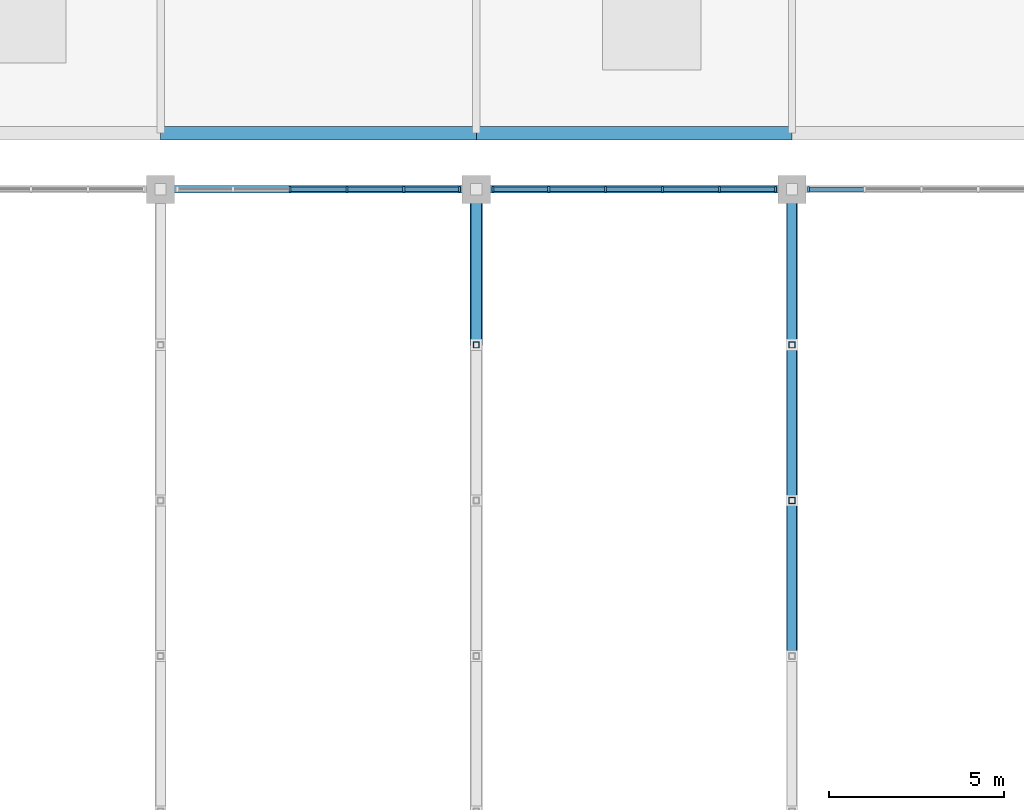
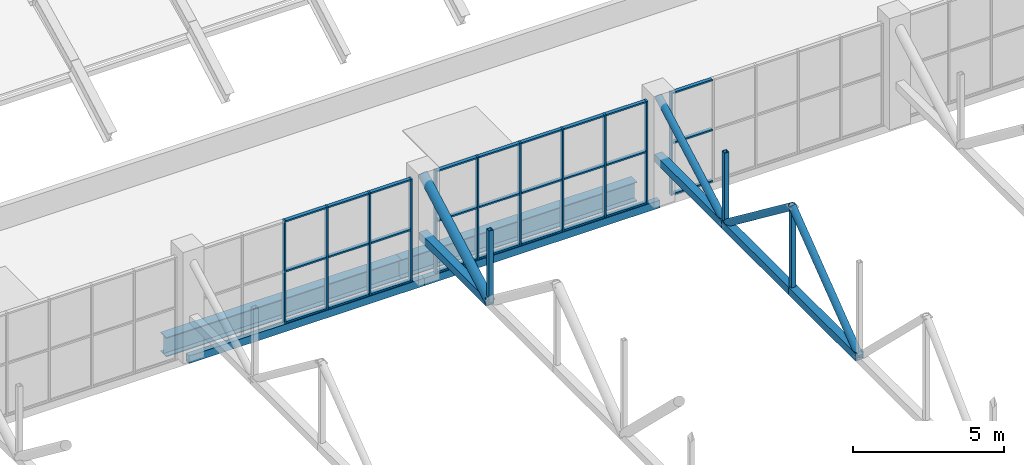
# One storey, part 25 of 103: 49 members, 4 beams, 3 elements without a shape of their own.
"""IFC4 building model written with IfcOpenShell, lengths in metres."""

from ifc_helpers import new_model, si_unit, direction, frame, origin, origin_2d, place, context, subcontext, project, spatial, rectangle, hollow_rectangle, hollow_circle, i_section, extrude, material, layer, layer_set, material_profile, profile_set, type_object, element, aggregate, save


model = new_model("IFC4")

# Units and contexts
model_context = context("Model", 3, precision=1e-05, world=origin(), true_north=direction((0.0, 1.0)))
body_context = subcontext(model_context, "Body", "Model", "MODEL_VIEW")
ifc_project = project(units=[si_unit("LENGTHUNIT", "METRE"), si_unit("AREAUNIT", "SQUARE_METRE"), si_unit("VOLUMEUNIT", "CUBIC_METRE"), si_unit("PLANEANGLEUNIT", "RADIAN"), si_unit("MASSUNIT", "GRAM", prefix="KILO")], contexts=[model_context])

# Site, building, storey
site_placement = place(None, origin())
site = spatial("IfcSite", under=ifc_project, at=site_placement, CompositionType="ELEMENT")
building_placement = place(site_placement, origin())
building = spatial("IfcBuilding", under=site, at=building_placement, Name="Cazmaro Siding Exhibition Halls", CompositionType="ELEMENT")
storey_placement = place(building_placement, frame((0.0, 0.0, 16.5)))
storey = spatial("IfcBuildingStorey", under=building, at=storey_placement, Name="L03", CompositionType="ELEMENT", Elevation=16.5)

# Curtain wall, members
ifc_material_1 = material(Name="Anodized Bronze Aluminum and Solar-Control Low-E Glazing", Category="aluminium")
ifc_layer = layer(ifc_material_1, 0.159912109375)
ifc_layer_set = layer_set([ifc_layer], Name="Anodized Bronze Aluminum and Solar-Control Low-E Glazing")
curtain_wall_type = type_object("IfcCurtainWallType", Name="CWS-04", PredefinedType="USERDEFINED", material=ifc_layer_set)
curtain_wall_1_placement = place(storey_placement, origin())
curtain_wall_1 = element("IfcCurtainWall", 1, at=curtain_wall_1_placement, inside=storey, type_object=curtain_wall_type, Name="Clerestory Curtain Wall CWS-04 CW-089", ObjectType="CLERESTORY CURTAIN WALL", PredefinedType="USERDEFINED")
ifc_material_2 = material(Name="Anodized Bronze Extruded Aluminum", Category="aluminium")
ifc_material_profile_1 = material_profile(ifc_material_2, rectangle(XDim=0.159912109375, YDim=0.06005859375, at=origin_2d()), Name="CWM-04")
ifc_profile_set_1 = profile_set([ifc_material_profile_1], Name="Anodized Bronze Extruded Aluminum")
member_type_1 = type_object("IfcMemberType", Name="CWM-04", PredefinedType="MULLION", material=ifc_profile_set_1)
member_1_placement = place(storey_placement, frame((116.52490234375, 53.60009765625, 0.0), z_axis=(0.0, 0.0, 1.0), x_axis=(0.0, -1.0, 0.0)))
member_1 = element("IfcMember", 2, at=member_1_placement, type_object=member_type_1, Name="CWS-04 mullion 1", PredefinedType="MULLION", context=body_context, shape_type="SweptSolid", body=[
    extrude(rectangle(XDim=0.159912109375, YDim=0.06005859375, at=origin_2d()), origin(), (0.0, 0.0, 1.0), 4.14990234375),
])
member_2_placement = place(storey_placement, frame((114.93310546875, 53.60009765625, 0.0), z_axis=(0.0, 0.0, 1.0), x_axis=(0.0, -1.0, 0.0)))
member_2 = element("IfcMember", 3, at=member_2_placement, type_object=member_type_1, Name="CWS-04 mullion 2", PredefinedType="MULLION", context=body_context, shape_type="SweptSolid", body=[
    extrude(rectangle(XDim=0.159912109375, YDim=0.06005859375, at=origin_2d()), origin(), (0.0, 0.0, 1.0), 4.14990234375),
])
member_3_placement = place(storey_placement, frame((113.31103515625, 53.60009765625, 0.0), z_axis=(0.0, 0.0, 1.0), x_axis=(0.0, -1.0, 0.0)))
member_3 = element("IfcMember", 4, at=member_3_placement, type_object=member_type_1, Name="CWS-04 mullion 3", PredefinedType="MULLION", context=body_context, shape_type="SweptSolid", body=[
    extrude(rectangle(XDim=0.159912109375, YDim=0.06005859375, at=origin_2d()), origin(), (0.0, 0.0, 1.0), 4.14990234375),
])
member_4_placement = place(storey_placement, frame((111.68896484375, 53.60009765625, 0.0), z_axis=(0.0, 0.0, 1.0), x_axis=(0.0, -1.0, 0.0)))
member_4 = element("IfcMember", 5, at=member_4_placement, type_object=member_type_1, Name="CWS-04 mullion 4", PredefinedType="MULLION", context=body_context, shape_type="SweptSolid", body=[
    extrude(rectangle(XDim=0.159912109375, YDim=0.06005859375, at=origin_2d()), origin(), (0.0, 0.0, 1.0), 4.14990234375),
])

curtain_wall_2_placement = place(storey_placement, origin())
curtain_wall_2 = element("IfcCurtainWall", 6, at=curtain_wall_2_placement, inside=storey, type_object=curtain_wall_type, Name="Clerestory Curtain Wall CWS-04 CW-091", ObjectType="CLERESTORY CURTAIN WALL", PredefinedType="USERDEFINED")
member_5_placement = place(storey_placement, frame((125.52490234375, 53.60009765625, 0.0), z_axis=(0.0, 0.0, 1.0), x_axis=(0.0, -1.0, 0.0)))
member_5 = element("IfcMember", 7, at=member_5_placement, type_object=member_type_1, Name="CWS-04 mullion 1", PredefinedType="MULLION", context=body_context, shape_type="SweptSolid", body=[
    extrude(rectangle(XDim=0.159912109375, YDim=0.06005859375, at=origin_2d()), origin(), (0.0, 0.0, 1.0), 4.14990234375),
])
member_6_placement = place(storey_placement, frame((123.93310546875, 53.60009765625, 0.0), z_axis=(0.0, 0.0, 1.0), x_axis=(0.0, -1.0, 0.0)))
member_6 = element("IfcMember", 8, at=member_6_placement, type_object=member_type_1, Name="CWS-04 mullion 2", PredefinedType="MULLION", context=body_context, shape_type="SweptSolid", body=[
    extrude(rectangle(XDim=0.159912109375, YDim=0.06005859375, at=origin_2d()), origin(), (0.0, 0.0, 1.0), 4.14990234375),
])
member_7_placement = place(storey_placement, frame((122.31103515625, 53.60009765625, 0.0), z_axis=(0.0, 0.0, 1.0), x_axis=(0.0, -1.0, 0.0)))
member_7 = element("IfcMember", 9, at=member_7_placement, type_object=member_type_1, Name="CWS-04 mullion 3", PredefinedType="MULLION", context=body_context, shape_type="SweptSolid", body=[
    extrude(rectangle(XDim=0.159912109375, YDim=0.06005859375, at=origin_2d()), origin(), (0.0, 0.0, 1.0), 4.14990234375),
])
member_8_placement = place(storey_placement, frame((120.68896484375, 53.60009765625, 0.0), z_axis=(0.0, 0.0, 1.0), x_axis=(0.0, -1.0, 0.0)))
member_8 = element("IfcMember", 10, at=member_8_placement, type_object=member_type_1, Name="CWS-04 mullion 4", PredefinedType="MULLION", context=body_context, shape_type="SweptSolid", body=[
    extrude(rectangle(XDim=0.159912109375, YDim=0.06005859375, at=origin_2d()), origin(), (0.0, 0.0, 1.0), 4.14990234375),
])
member_9_placement = place(storey_placement, frame((119.06689453125, 53.60009765625, 0.0), z_axis=(0.0, 0.0, 1.0), x_axis=(0.0, -1.0, 0.0)))
member_9 = element("IfcMember", 11, at=member_9_placement, type_object=member_type_1, Name="CWS-04 mullion 5", PredefinedType="MULLION", context=body_context, shape_type="SweptSolid", body=[
    extrude(rectangle(XDim=0.159912109375, YDim=0.06005859375, at=origin_2d()), origin(), (0.0, 0.0, 1.0), 4.14990234375),
])
member_10_placement = place(storey_placement, frame((117.47509765625, 53.60009765625, 0.0), z_axis=(0.0, 0.0, 1.0), x_axis=(0.0, -1.0, 0.0)))
member_10 = element("IfcMember", 12, at=member_10_placement, type_object=member_type_1, Name="CWS-04 mullion 6", PredefinedType="MULLION", context=body_context, shape_type="SweptSolid", body=[
    extrude(rectangle(XDim=0.159912109375, YDim=0.06005859375, at=origin_2d()), origin(), (0.0, 0.0, 1.0), 4.14990234375),
])

# Curtain wall, member
curtain_wall_3_placement = place(storey_placement, origin())
curtain_wall_3 = element("IfcCurtainWall", 13, at=curtain_wall_3_placement, inside=storey, type_object=curtain_wall_type, Name="Clerestory Curtain Wall CWS-04 CW-093", ObjectType="CLERESTORY CURTAIN WALL", PredefinedType="USERDEFINED")
member_11_placement = place(storey_placement, frame((126.47509765625, 53.60009765625, 0.0), z_axis=(0.0, 0.0, 1.0), x_axis=(0.0, -1.0, 0.0)))
member_11 = element("IfcMember", 14, at=member_11_placement, type_object=member_type_1, Name="CWS-04 mullion 6", PredefinedType="MULLION", context=body_context, shape_type="SweptSolid", body=[
    extrude(rectangle(XDim=0.159912109375, YDim=0.06005859375, at=origin_2d()), origin(), (0.0, 0.0, 1.0), 4.14990234375),
])

# Member
ifc_material_3 = material(Name="Anodized Bronze Extruded Aluminum", Category="aluminium")
ifc_material_profile_2 = material_profile(ifc_material_3, rectangle(XDim=0.139892578125, YDim=0.06005859375, at=origin_2d()), Name="CWT-04")
ifc_profile_set_2 = profile_set([ifc_material_profile_2], Name="Anodized Bronze Extruded Aluminum")
member_type_2 = type_object("IfcMemberType", Name="CWT-04", PredefinedType="MULLION", material=ifc_profile_set_2)
member_12_placement = place(storey_placement, frame((116.4951171875, 53.60009765625, 0.030029296875), z_axis=(-1.0, 0.0, 0.0), x_axis=(0.0, -1.0, 0.0)))
member_12 = element("IfcMember", 15, at=member_12_placement, type_object=member_type_2, Name="CWS-04 transom 1.1", ObjectType="TRANSOM", PredefinedType="USERDEFINED", context=body_context, shape_type="SweptSolid", body=[
    extrude(rectangle(XDim=0.139892578125, YDim=0.06005859375, at=origin_2d()), origin(), (0.0, 0.0, 1.0), 1.5322265625),
])

member_13_placement = place(storey_placement, frame((116.4951171875, 53.60009765625, 2.10009765625), z_axis=(-1.0, 0.0, 0.0), x_axis=(0.0, -1.0, 0.0)))
member_13 = element("IfcMember", 16, at=member_13_placement, type_object=member_type_2, Name="CWS-04 transom 1.2", ObjectType="TRANSOM", PredefinedType="USERDEFINED", context=body_context, shape_type="SweptSolid", body=[
    extrude(rectangle(XDim=0.139892578125, YDim=0.06005859375, at=origin_2d()), origin(), (0.0, 0.0, 1.0), 1.5322265625),
])

member_14_placement = place(storey_placement, frame((116.4951171875, 53.60009765625, 4.1201171875), z_axis=(-1.0, 0.0, 0.0), x_axis=(0.0, -1.0, 0.0)))
member_14 = element("IfcMember", 17, at=member_14_placement, type_object=member_type_2, Name="CWS-04 transom 1.3", ObjectType="TRANSOM", PredefinedType="USERDEFINED", context=body_context, shape_type="SweptSolid", body=[
    extrude(rectangle(XDim=0.139892578125, YDim=0.06005859375, at=origin_2d()), origin(), (0.0, 0.0, 1.0), 1.5322265625),
])

member_15_placement = place(storey_placement, frame((114.903076171875, 53.60009765625, 0.030029296875), z_axis=(-1.0, 0.0, 0.0), x_axis=(0.0, -1.0, 0.0)))
member_15 = element("IfcMember", 18, at=member_15_placement, type_object=member_type_2, Name="CWS-04 transom 2.1", ObjectType="TRANSOM", PredefinedType="USERDEFINED", context=body_context, shape_type="SweptSolid", body=[
    extrude(rectangle(XDim=0.139892578125, YDim=0.06005859375, at=origin_2d()), origin(), (0.0, 0.0, 1.0), 1.56201171875),
])

member_16_placement = place(storey_placement, frame((114.903076171875, 53.60009765625, 2.10009765625), z_axis=(-1.0, 0.0, 0.0), x_axis=(0.0, -1.0, 0.0)))
member_16 = element("IfcMember", 19, at=member_16_placement, type_object=member_type_2, Name="CWS-04 transom 2.2", ObjectType="TRANSOM", PredefinedType="USERDEFINED", context=body_context, shape_type="SweptSolid", body=[
    extrude(rectangle(XDim=0.139892578125, YDim=0.06005859375, at=origin_2d()), origin(), (0.0, 0.0, 1.0), 1.56201171875),
])

member_17_placement = place(storey_placement, frame((114.903076171875, 53.60009765625, 4.1201171875), z_axis=(-1.0, 0.0, 0.0), x_axis=(0.0, -1.0, 0.0)))
member_17 = element("IfcMember", 20, at=member_17_placement, type_object=member_type_2, Name="CWS-04 transom 2.3", ObjectType="TRANSOM", PredefinedType="USERDEFINED", context=body_context, shape_type="SweptSolid", body=[
    extrude(rectangle(XDim=0.139892578125, YDim=0.06005859375, at=origin_2d()), origin(), (0.0, 0.0, 1.0), 1.56201171875),
])

member_18_placement = place(storey_placement, frame((113.281005859375, 53.60009765625, 0.030029296875), z_axis=(-1.0, 0.0, 0.0), x_axis=(0.0, -1.0, 0.0)))
member_18 = element("IfcMember", 21, at=member_18_placement, type_object=member_type_2, Name="CWS-04 transom 3.1", ObjectType="TRANSOM", PredefinedType="USERDEFINED", context=body_context, shape_type="SweptSolid", body=[
    extrude(rectangle(XDim=0.139892578125, YDim=0.06005859375, at=origin_2d()), origin(), (0.0, 0.0, 1.0), 1.56201171875),
])

member_19_placement = place(storey_placement, frame((113.281005859375, 53.60009765625, 2.10009765625), z_axis=(-1.0, 0.0, 0.0), x_axis=(0.0, -1.0, 0.0)))
member_19 = element("IfcMember", 22, at=member_19_placement, type_object=member_type_2, Name="CWS-04 transom 3.2", ObjectType="TRANSOM", PredefinedType="USERDEFINED", context=body_context, shape_type="SweptSolid", body=[
    extrude(rectangle(XDim=0.139892578125, YDim=0.06005859375, at=origin_2d()), origin(), (0.0, 0.0, 1.0), 1.56201171875),
])

member_20_placement = place(storey_placement, frame((113.281005859375, 53.60009765625, 4.1201171875), z_axis=(-1.0, 0.0, 0.0), x_axis=(0.0, -1.0, 0.0)))
member_20 = element("IfcMember", 23, at=member_20_placement, type_object=member_type_2, Name="CWS-04 transom 3.3", ObjectType="TRANSOM", PredefinedType="USERDEFINED", context=body_context, shape_type="SweptSolid", body=[
    extrude(rectangle(XDim=0.139892578125, YDim=0.06005859375, at=origin_2d()), origin(), (0.0, 0.0, 1.0), 1.56201171875),
])

aggregate(curtain_wall_1, [member_1, member_2, member_3, member_4, member_12, member_13, member_14, member_15, member_16, member_17, member_18, member_19, member_20])

member_21_placement = place(storey_placement, frame((125.4951171875, 53.60009765625, 0.030029296875), z_axis=(-1.0, 0.0, 0.0), x_axis=(0.0, -1.0, 0.0)))
member_21 = element("IfcMember", 24, at=member_21_placement, type_object=member_type_2, Name="CWS-04 transom 1.1", ObjectType="TRANSOM", PredefinedType="USERDEFINED", context=body_context, shape_type="SweptSolid", body=[
    extrude(rectangle(XDim=0.139892578125, YDim=0.06005859375, at=origin_2d()), origin(), (0.0, 0.0, 1.0), 1.5322265625),
])

member_22_placement = place(storey_placement, frame((125.4951171875, 53.60009765625, 2.10009765625), z_axis=(-1.0, 0.0, 0.0), x_axis=(0.0, -1.0, 0.0)))
member_22 = element("IfcMember", 25, at=member_22_placement, type_object=member_type_2, Name="CWS-04 transom 1.2", ObjectType="TRANSOM", PredefinedType="USERDEFINED", context=body_context, shape_type="SweptSolid", body=[
    extrude(rectangle(XDim=0.139892578125, YDim=0.06005859375, at=origin_2d()), origin(), (0.0, 0.0, 1.0), 1.5322265625),
])

member_23_placement = place(storey_placement, frame((125.4951171875, 53.60009765625, 4.1201171875), z_axis=(-1.0, 0.0, 0.0), x_axis=(0.0, -1.0, 0.0)))
member_23 = element("IfcMember", 26, at=member_23_placement, type_object=member_type_2, Name="CWS-04 transom 1.3", ObjectType="TRANSOM", PredefinedType="USERDEFINED", context=body_context, shape_type="SweptSolid", body=[
    extrude(rectangle(XDim=0.139892578125, YDim=0.06005859375, at=origin_2d()), origin(), (0.0, 0.0, 1.0), 1.5322265625),
])

member_24_placement = place(storey_placement, frame((123.903076171875, 53.60009765625, 0.030029296875), z_axis=(-1.0, 0.0, 0.0), x_axis=(0.0, -1.0, 0.0)))
member_24 = element("IfcMember", 27, at=member_24_placement, type_object=member_type_2, Name="CWS-04 transom 2.1", ObjectType="TRANSOM", PredefinedType="USERDEFINED", context=body_context, shape_type="SweptSolid", body=[
    extrude(rectangle(XDim=0.139892578125, YDim=0.06005859375, at=origin_2d()), origin(), (0.0, 0.0, 1.0), 1.56201171875),
])

member_25_placement = place(storey_placement, frame((123.903076171875, 53.60009765625, 2.10009765625), z_axis=(-1.0, 0.0, 0.0), x_axis=(0.0, -1.0, 0.0)))
member_25 = element("IfcMember", 28, at=member_25_placement, type_object=member_type_2, Name="CWS-04 transom 2.2", ObjectType="TRANSOM", PredefinedType="USERDEFINED", context=body_context, shape_type="SweptSolid", body=[
    extrude(rectangle(XDim=0.139892578125, YDim=0.06005859375, at=origin_2d()), origin(), (0.0, 0.0, 1.0), 1.56201171875),
])

member_26_placement = place(storey_placement, frame((123.903076171875, 53.60009765625, 4.1201171875), z_axis=(-1.0, 0.0, 0.0), x_axis=(0.0, -1.0, 0.0)))
member_26 = element("IfcMember", 29, at=member_26_placement, type_object=member_type_2, Name="CWS-04 transom 2.3", ObjectType="TRANSOM", PredefinedType="USERDEFINED", context=body_context, shape_type="SweptSolid", body=[
    extrude(rectangle(XDim=0.139892578125, YDim=0.06005859375, at=origin_2d()), origin(), (0.0, 0.0, 1.0), 1.56201171875),
])

member_27_placement = place(storey_placement, frame((122.281005859375, 53.60009765625, 0.030029296875), z_axis=(-1.0, 0.0, 0.0), x_axis=(0.0, -1.0, 0.0)))
member_27 = element("IfcMember", 30, at=member_27_placement, type_object=member_type_2, Name="CWS-04 transom 3.1", ObjectType="TRANSOM", PredefinedType="USERDEFINED", context=body_context, shape_type="SweptSolid", body=[
    extrude(rectangle(XDim=0.139892578125, YDim=0.06005859375, at=origin_2d()), origin(), (0.0, 0.0, 1.0), 1.56201171875),
])

member_28_placement = place(storey_placement, frame((122.281005859375, 53.60009765625, 2.10009765625), z_axis=(-1.0, 0.0, 0.0), x_axis=(0.0, -1.0, 0.0)))
member_28 = element("IfcMember", 31, at=member_28_placement, type_object=member_type_2, Name="CWS-04 transom 3.2", ObjectType="TRANSOM", PredefinedType="USERDEFINED", context=body_context, shape_type="SweptSolid", body=[
    extrude(rectangle(XDim=0.139892578125, YDim=0.06005859375, at=origin_2d()), origin(), (0.0, 0.0, 1.0), 1.56201171875),
])

member_29_placement = place(storey_placement, frame((122.281005859375, 53.60009765625, 4.1201171875), z_axis=(-1.0, 0.0, 0.0), x_axis=(0.0, -1.0, 0.0)))
member_29 = element("IfcMember", 32, at=member_29_placement, type_object=member_type_2, Name="CWS-04 transom 3.3", ObjectType="TRANSOM", PredefinedType="USERDEFINED", context=body_context, shape_type="SweptSolid", body=[
    extrude(rectangle(XDim=0.139892578125, YDim=0.06005859375, at=origin_2d()), origin(), (0.0, 0.0, 1.0), 1.56201171875),
])

member_30_placement = place(storey_placement, frame((120.658935546875, 53.60009765625, 0.030029296875), z_axis=(-1.0, 0.0, 0.0), x_axis=(0.0, -1.0, 0.0)))
member_30 = element("IfcMember", 33, at=member_30_placement, type_object=member_type_2, Name="CWS-04 transom 4.1", ObjectType="TRANSOM", PredefinedType="USERDEFINED", context=body_context, shape_type="SweptSolid", body=[
    extrude(rectangle(XDim=0.139892578125, YDim=0.06005859375, at=origin_2d()), origin(), (0.0, 0.0, 1.0), 1.56201171875),
])

member_31_placement = place(storey_placement, frame((120.658935546875, 53.60009765625, 2.10009765625), z_axis=(-1.0, 0.0, 0.0), x_axis=(0.0, -1.0, 0.0)))
member_31 = element("IfcMember", 34, at=member_31_placement, type_object=member_type_2, Name="CWS-04 transom 4.2", ObjectType="TRANSOM", PredefinedType="USERDEFINED", context=body_context, shape_type="SweptSolid", body=[
    extrude(rectangle(XDim=0.139892578125, YDim=0.06005859375, at=origin_2d()), origin(), (0.0, 0.0, 1.0), 1.56201171875),
])

member_32_placement = place(storey_placement, frame((120.658935546875, 53.60009765625, 4.1201171875), z_axis=(-1.0, 0.0, 0.0), x_axis=(0.0, -1.0, 0.0)))
member_32 = element("IfcMember", 35, at=member_32_placement, type_object=member_type_2, Name="CWS-04 transom 4.3", ObjectType="TRANSOM", PredefinedType="USERDEFINED", context=body_context, shape_type="SweptSolid", body=[
    extrude(rectangle(XDim=0.139892578125, YDim=0.06005859375, at=origin_2d()), origin(), (0.0, 0.0, 1.0), 1.56201171875),
])

member_33_placement = place(storey_placement, frame((119.037109375, 53.60009765625, 0.030029296875), z_axis=(-1.0, 0.0, 0.0), x_axis=(0.0, -1.0, 0.0)))
member_33 = element("IfcMember", 36, at=member_33_placement, type_object=member_type_2, Name="CWS-04 transom 5.1", ObjectType="TRANSOM", PredefinedType="USERDEFINED", context=body_context, shape_type="SweptSolid", body=[
    extrude(rectangle(XDim=0.139892578125, YDim=0.06005859375, at=origin_2d()), origin(), (0.0, 0.0, 1.0), 1.5322265625),
])

member_34_placement = place(storey_placement, frame((119.037109375, 53.60009765625, 2.10009765625), z_axis=(-1.0, 0.0, 0.0), x_axis=(0.0, -1.0, 0.0)))
member_34 = element("IfcMember", 37, at=member_34_placement, type_object=member_type_2, Name="CWS-04 transom 5.2", ObjectType="TRANSOM", PredefinedType="USERDEFINED", context=body_context, shape_type="SweptSolid", body=[
    extrude(rectangle(XDim=0.139892578125, YDim=0.06005859375, at=origin_2d()), origin(), (0.0, 0.0, 1.0), 1.5322265625),
])

member_35_placement = place(storey_placement, frame((119.037109375, 53.60009765625, 4.1201171875), z_axis=(-1.0, 0.0, 0.0), x_axis=(0.0, -1.0, 0.0)))
member_35 = element("IfcMember", 38, at=member_35_placement, type_object=member_type_2, Name="CWS-04 transom 5.3", ObjectType="TRANSOM", PredefinedType="USERDEFINED", context=body_context, shape_type="SweptSolid", body=[
    extrude(rectangle(XDim=0.139892578125, YDim=0.06005859375, at=origin_2d()), origin(), (0.0, 0.0, 1.0), 1.5322265625),
])

aggregate(curtain_wall_2, [member_5, member_6, member_7, member_8, member_9, member_10, member_21, member_22, member_23, member_24, member_25, member_26, member_27, member_28, member_29, member_30, member_31, member_32, member_33, member_34, member_35])

member_36_placement = place(storey_placement, frame((128.037109375, 53.60009765625, 0.030029296875), z_axis=(-1.0, 0.0, 0.0), x_axis=(0.0, -1.0, 0.0)))
member_36 = element("IfcMember", 39, at=member_36_placement, type_object=member_type_2, Name="CWS-04 transom 5.1", ObjectType="TRANSOM", PredefinedType="USERDEFINED", context=body_context, shape_type="SweptSolid", body=[
    extrude(rectangle(XDim=0.139892578125, YDim=0.06005859375, at=origin_2d()), origin(), (0.0, 0.0, 1.0), 1.5322265625),
])

member_37_placement = place(storey_placement, frame((128.037109375, 53.60009765625, 2.10009765625), z_axis=(-1.0, 0.0, 0.0), x_axis=(0.0, -1.0, 0.0)))
member_37 = element("IfcMember", 40, at=member_37_placement, type_object=member_type_2, Name="CWS-04 transom 5.2", ObjectType="TRANSOM", PredefinedType="USERDEFINED", context=body_context, shape_type="SweptSolid", body=[
    extrude(rectangle(XDim=0.139892578125, YDim=0.06005859375, at=origin_2d()), origin(), (0.0, 0.0, 1.0), 1.5322265625),
])

member_38_placement = place(storey_placement, frame((128.037109375, 53.60009765625, 4.1201171875), z_axis=(-1.0, 0.0, 0.0), x_axis=(0.0, -1.0, 0.0)))
member_38 = element("IfcMember", 41, at=member_38_placement, type_object=member_type_2, Name="CWS-04 transom 5.3", ObjectType="TRANSOM", PredefinedType="USERDEFINED", context=body_context, shape_type="SweptSolid", body=[
    extrude(rectangle(XDim=0.139892578125, YDim=0.06005859375, at=origin_2d()), origin(), (0.0, 0.0, 1.0), 1.5322265625),
])

aggregate(curtain_wall_3, [member_11, member_36, member_37, member_38])

# Beams
ifc_material_4 = material(Name="Steel ASTM A992 Grade 50", Category="steel")
ifc_material_profile_3 = material_profile(ifc_material_4, i_section(OverallWidth=0.381103515625, OverallDepth=0.779052734375, WebThickness=0.01806640625, FlangeThickness=0.030029296875, at=origin_2d()), Name="W30X191")
ifc_profile_set_3 = profile_set([ifc_material_profile_3], Name="Steel ASTM A992 Grade 50")
beam_type_1 = type_object("IfcBeamType", Name="G-04", PredefinedType="USERDEFINED", material=ifc_profile_set_3)
for number, where, z_axis, x_axis, name in (
    (42, (108.0, 55.199951171875, -0.56494140625), (1.0, 0.0, 0.0), (0.0, 1.0, 0.0), "Beam G-04 BM-1641"),
    (43, (117.0, 55.199951171875, -0.56494140625), (1.0, 0.0, 0.0), (0.0, 1.0, 0.0), "Beam G-04 BM-1650"),
):
    element("IfcBeam", number, at=place(storey_placement, frame(where, z_axis=z_axis, x_axis=x_axis)), inside=storey, type_object=beam_type_1, Name=name, ObjectType="GIRDER", PredefinedType="USERDEFINED", context=body_context, shape_type="SweptSolid", body=[
        extrude(i_section(OverallWidth=0.381103515625, OverallDepth=0.779052734375, WebThickness=0.01806640625, FlangeThickness=0.030029296875, at=origin_2d()), origin(), (0.0, 0.0, 1.0), 9.0),
    ])
ifc_material_5 = material(Name="Steel ASTM A500 Grade C", Category="steel")
ifc_material_profile_4 = material_profile(ifc_material_5, hollow_rectangle(XDim=0.202880859375, YDim=0.304931640625, WallThickness=0.011962890625, at=origin_2d()), Name="HSS12X8X1/2")
ifc_profile_set_4 = profile_set([ifc_material_profile_4], Name="Steel ASTM A500 Grade C")
beam_type_2 = type_object("IfcBeamType", Name="SP-01", PredefinedType="SPANDREL", material=ifc_profile_set_4)
for number, where, z_axis, x_axis, name in (
    (44, (108.0, 53.60009765625, -0.152099609375), (1.0, 0.0, 0.0), (0.0, 1.0, 0.0), "Beam SP-01 BM-1501"),
    (45, (117.0, 53.60009765625, -0.152099609375), (1.0, 0.0, 0.0), (0.0, 1.0, 0.0), "Beam SP-01 BM-1505"),
):
    element("IfcBeam", number, at=place(storey_placement, frame(where, z_axis=z_axis, x_axis=x_axis)), inside=storey, type_object=beam_type_2, Name=name, PredefinedType="SPANDREL", context=body_context, shape_type="SweptSolid", body=[
        extrude(hollow_rectangle(XDim=0.202880859375, YDim=0.304931640625, WallThickness=0.011962890625, at=origin_2d()), origin(), (0.0, 0.0, 1.0), 9.0),
    ])

# Members
ifc_material_6 = material(Name="Steel ASTM A500 Grade C", Category="steel")
ifc_material_profile_5 = material_profile(ifc_material_6, hollow_rectangle(XDim=0.304931640625, YDim=0.304931640625, WallThickness=0.014892578125, at=origin_2d()), Name="HSS12X12X5/8")
ifc_profile_set_5 = profile_set([ifc_material_profile_5], Name="Steel ASTM A500 Grade C")
member_type_3 = type_object("IfcMemberType", Name="TC-02", PredefinedType="CHORD", material=ifc_profile_set_5)
for number, where, z_axis, x_axis, name in (
    (46, (117.0, 49.1650390625, 1.699951171875), (0.0, 1.0, 0.0), (-1.0, 0.0, 0.0), "Warren roof truss bottom chord TC-02 MEM-2525"),
    (47, (126.0, 40.294921875, 1.699951171875), (0.0, 1.0, 0.0), (-1.0, 0.0, 0.0), "Warren roof truss bottom chord TC-02 MEM-2558"),
    (48, (126.0, 44.72998046875, 1.699951171875), (0.0, 1.0, 0.0), (-1.0, 0.0, 0.0), "Warren roof truss bottom chord TC-02 MEM-2561"),
    (49, (126.0, 49.1650390625, 1.699951171875), (0.0, 1.0, 0.0), (-1.0, 0.0, 0.0), "Warren roof truss bottom chord TC-02 MEM-2564"),
):
    element("IfcMember", number, at=place(storey_placement, frame(where, z_axis=z_axis, x_axis=x_axis)), inside=storey, type_object=member_type_3, Name=name, PredefinedType="CHORD", context=body_context, shape_type="SweptSolid", body=[
        extrude(hollow_rectangle(XDim=0.304931640625, YDim=0.304931640625, WallThickness=0.014892578125, at=origin_2d()), origin(), (0.0, 0.0, 1.0), 4.43505859375),
    ])
ifc_material_7 = material(Name="Steel ASTM A500 Grade C", Category="steel")
ifc_material_profile_6 = material_profile(ifc_material_7, hollow_rectangle(XDim=0.177978515625, YDim=0.177978515625, WallThickness=0.011962890625, at=origin_2d()), Name="HSS7X7X1/2")
ifc_profile_set_6 = profile_set([ifc_material_profile_6], Name="Steel ASTM A500 Grade C")
member_type_4 = type_object("IfcMemberType", Name="TP-02", PredefinedType="POST", material=ifc_profile_set_6)
member_39_placement = place(storey_placement, frame((117.0, 49.1650390625, 1.699951171875), z_axis=(0.0, 0.0, 1.0), x_axis=(1.0, 0.0, 0.0)))
element("IfcMember", 50, at=member_39_placement, inside=storey, type_object=member_type_4, Name="Warren roof truss vertical TP-02 MEM-2535", PredefinedType="POST", context=body_context, shape_type="SweptSolid", body=[
    extrude(hollow_rectangle(XDim=0.177978515625, YDim=0.177978515625, WallThickness=0.011962890625, at=origin_2d()), origin(), (0.0, 0.0, 1.0), 2.906005859375),
])
member_40_placement = place(storey_placement, frame((126.0, 44.72998046875, 1.699951171875), z_axis=(0.0, 0.0, 1.0), x_axis=(1.0, 0.0, 0.0)))
element("IfcMember", 51, at=member_40_placement, inside=storey, type_object=member_type_4, Name="Warren roof truss vertical TP-02 MEM-2573", PredefinedType="POST", context=body_context, shape_type="SweptSolid", body=[
    extrude(hollow_rectangle(XDim=0.177978515625, YDim=0.177978515625, WallThickness=0.011962890625, at=origin_2d()), origin(), (0.0, 0.0, 1.0), 3.373046875),
])
member_41_placement = place(storey_placement, frame((126.0, 49.1650390625, 1.699951171875), z_axis=(0.0, 0.0, 1.0), x_axis=(1.0, 0.0, 0.0)))
element("IfcMember", 52, at=member_41_placement, inside=storey, type_object=member_type_4, Name="Warren roof truss vertical TP-02 MEM-2574", PredefinedType="POST", context=body_context, shape_type="SweptSolid", body=[
    extrude(hollow_rectangle(XDim=0.177978515625, YDim=0.177978515625, WallThickness=0.011962890625, at=origin_2d()), origin(), (0.0, 0.0, 1.0), 2.906005859375),
])
ifc_material_8 = material(Name="Steel ASTM A500 Grade C", Category="steel")
ifc_material_profile_7 = material_profile(ifc_material_8, hollow_circle(Radius=0.136474609375, WallThickness=0.012939453125, at=origin_2d()), Name="PIPE10XS")
ifc_profile_set_7 = profile_set([ifc_material_profile_7], Name="Steel ASTM A500 Grade C")
member_type_5 = type_object("IfcMemberType", Name="WB-02", PredefinedType="BRACE", material=ifc_profile_set_7)
for number, where, z_axis, x_axis, name in (
    (53, (126.0, 40.294921875, 1.699951171875), (0.0, 0.795954445209, 0.605356524002), (-1.0, 0.0, 0.0), "Warren roof truss diagonal WB-02 MEM-2559"),
    (54, (126.0, 44.72998046875, 5.072998046875), (0.0, 0.795954445209, -0.605356524002), (-1.0, 0.0, 0.0), "Warren roof truss diagonal WB-02 MEM-2562"),
):
    element("IfcMember", number, at=place(storey_placement, frame(where, z_axis=z_axis, x_axis=x_axis)), inside=storey, type_object=member_type_5, Name=name, PredefinedType="BRACE", context=body_context, shape_type="SweptSolid", body=[
        extrude(hollow_circle(Radius=0.136474609375, WallThickness=0.012939453125, at=origin_2d()), origin(), (0.0, 0.0, 1.0), 5.572021484375),
    ])
member_42_placement = place(storey_placement, frame((126.0, 49.1650390625, 1.699951171875), z_axis=(0.0, 0.876160914294, 0.482018726051), x_axis=(-1.0, 0.0, 0.0)))
element("IfcMember", 55, at=member_42_placement, inside=storey, type_object=member_type_5, Name="Warren roof truss diagonal WB-02 MEM-2565", PredefinedType="BRACE", context=body_context, shape_type="SweptSolid", body=[
    extrude(hollow_circle(Radius=0.136474609375, WallThickness=0.012939453125, at=origin_2d()), origin(), (0.0, 0.0, 1.0), 5.06201171875),
])
ifc_material_9 = material(Name="Steel ASTM A500 Grade C", Category="steel")
ifc_material_profile_8 = material_profile(ifc_material_9, hollow_circle(Radius=0.177978515625, WallThickness=0.012939453125, at=origin_2d()), Name="PIPE14XS")
ifc_profile_set_8 = profile_set([ifc_material_profile_8], Name="Steel ASTM A500 Grade C")
member_type_6 = type_object("IfcMemberType", Name="WB-06", PredefinedType="BRACE", material=ifc_profile_set_8)
member_43_placement = place(storey_placement, frame((117.0, 49.1650390625, 1.699951171875), z_axis=(0.0, 0.876160914294, 0.482018726051), x_axis=(-1.0, 0.0, 0.0)))
element("IfcMember", 56, at=member_43_placement, inside=storey, type_object=member_type_6, Name="Warren roof truss diagonal WB-06 MEM-2526", PredefinedType="BRACE", context=body_context, shape_type="SweptSolid", body=[
    extrude(hollow_circle(Radius=0.177978515625, WallThickness=0.012939453125, at=origin_2d()), origin(), (0.0, 0.0, 1.0), 5.06201171875),
])

save(model, "model.ifc")
